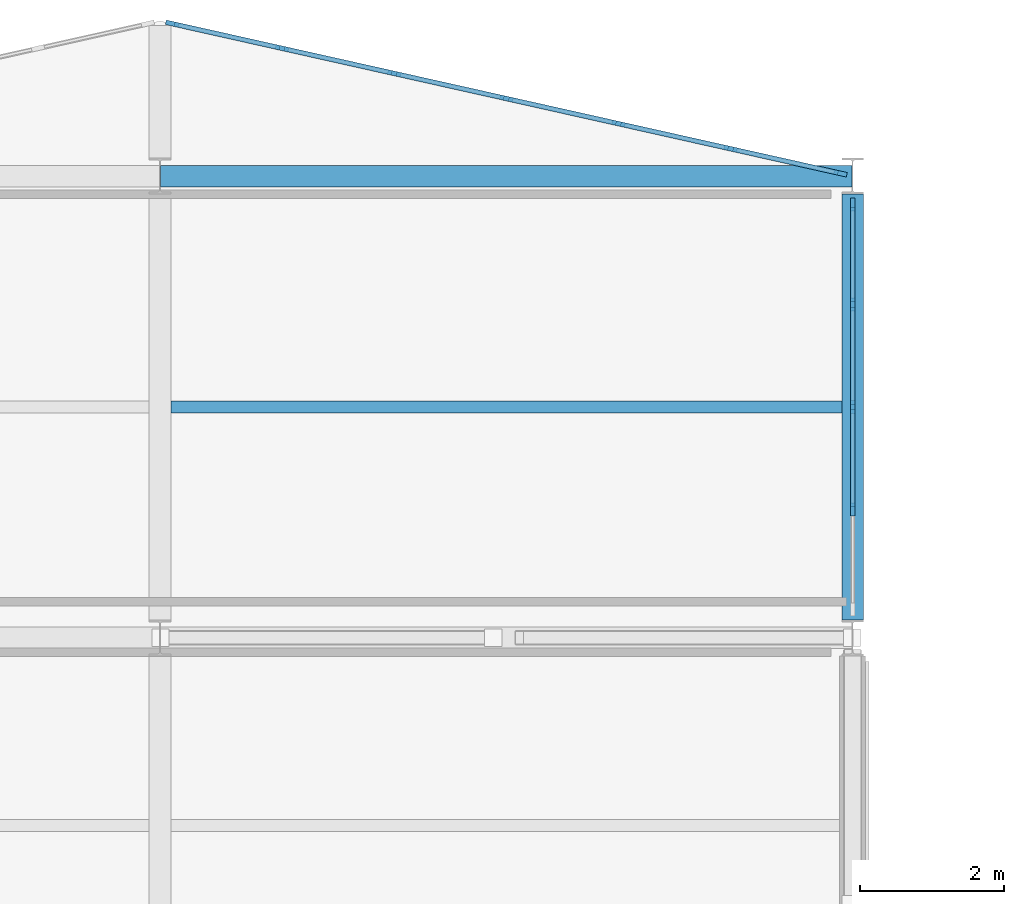
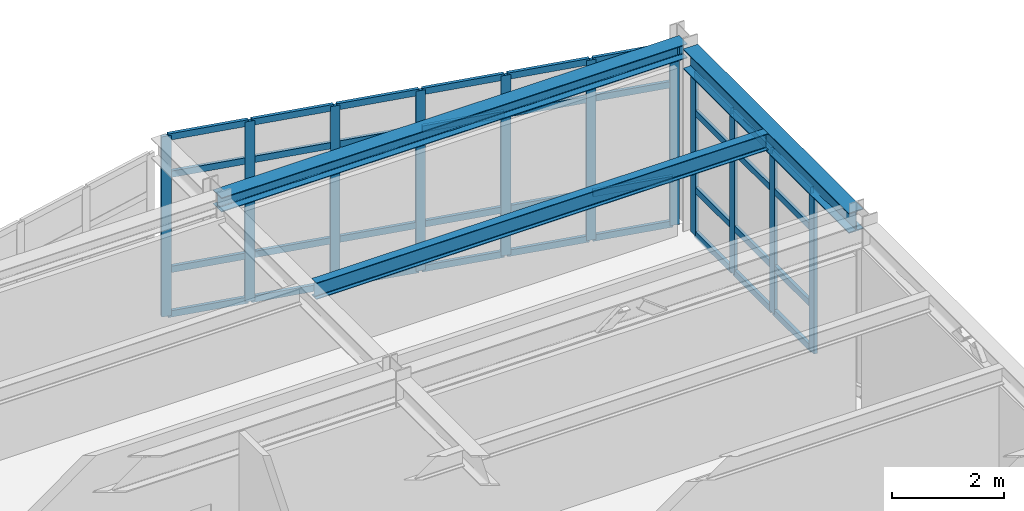
# One storey, part 42 of 76: 47 members, 3 beams, 2 elements without a shape of their own.
"""IFC4 building model written with IfcOpenShell, lengths in metres."""

from ifc_helpers import new_model, si_unit, direction, frame, origin, origin_2d, place, context, subcontext, project, spatial, rectangle, i_section, extrude, material, layer, layer_set, material_profile, profile_set, type_object, element, aggregate, save


model = new_model("IFC4")

# Units and contexts
model_context = context("Model", 3, precision=1e-05, world=origin(), true_north=direction((0.0, 1.0)))
body_context = subcontext(model_context, "Body", "Model", "MODEL_VIEW")
ifc_project = project(units=[si_unit("LENGTHUNIT", "METRE"), si_unit("AREAUNIT", "SQUARE_METRE"), si_unit("VOLUMEUNIT", "CUBIC_METRE"), si_unit("PLANEANGLEUNIT", "RADIAN"), si_unit("MASSUNIT", "GRAM", prefix="KILO")], contexts=[model_context])

# Site, building, storey
site_placement = place(None, origin())
site = spatial("IfcSite", under=ifc_project, at=site_placement, CompositionType="ELEMENT")
building_placement = place(site_placement, origin())
building = spatial("IfcBuilding", under=site, at=building_placement, Name="Nordkorset Police Headquarters", CompositionType="ELEMENT")
storey_placement = place(building_placement, frame((0.0, 0.0, 13.64990234375)))
storey = spatial("IfcBuildingStorey", under=building, at=storey_placement, Name="L03", CompositionType="ELEMENT", Elevation=13.64990234375)

# Beam
ifc_material_1 = material(Name="Steel S355J2", Category="steel")
ifc_material_profile_1 = material_profile(ifc_material_1, i_section(OverallWidth=0.169921875, OverallDepth=0.360107421875, WebThickness=0.008056640625, FlangeThickness=0.0126953125, FilletRadius=0.01806640625, at=origin_2d()), Name="IPE 360")
ifc_profile_set_1 = profile_set([ifc_material_profile_1], Name="Steel S355J2")
beam_type_1 = type_object("IfcBeamType", Name="Beam_IPE_360", PredefinedType="BEAM", material=ifc_profile_set_1)
beam_1_placement = place(storey_placement, frame((76.949951171875, 113.60009765625, 3.800048828125), z_axis=(1.0, 0.0, 0.0), x_axis=(0.0, 1.0, 0.0)))
element("IfcBeam", 1, at=beam_1_placement, inside=storey, type_object=beam_type_1, Name="Composite Floor Beam V2 L03 5-2-1", PredefinedType="BEAM", context=body_context, shape_type="SweptSolid", body=[
    extrude(i_section(OverallWidth=0.169921875, OverallDepth=0.360107421875, WebThickness=0.008056640625, FlangeThickness=0.0126953125, FilletRadius=0.01806640625, at=origin_2d()), origin(), (0.0, 0.0, 1.0), 9.300048828125),
])

# Curtain wall, members
ifc_material_2 = material(Name="Aluminium alloy AW-6060", Category="aluminium")
ifc_layer_1 = layer(ifc_material_2, 0.179931640625, Name="Aluminium alloy AW-6060")
ifc_layer_set_1 = layer_set([ifc_layer_1], Name="Aluminium alloy AW-6060")
curtain_wall_type_1 = type_object("IfcCurtainWallType", Name="CW_Unit_956x392", PredefinedType="USERDEFINED", material=ifc_layer_set_1)
curtain_wall_1_placement = place(storey_placement, origin())
curtain_wall_1 = element("IfcCurtainWall", 2, at=curtain_wall_1_placement, inside=storey, type_object=curtain_wall_type_1, Name="Unitised Curtain Wall L03 V2N-5", ObjectType="UNITISED CURTAIN WALL", PredefinedType="USERDEFINED")
ifc_material_3 = material(Name="Aluminium alloy AW-6060", Category="aluminium")
ifc_material_profile_2 = material_profile(ifc_material_3, rectangle(XDim=0.06494140625, YDim=0.179931640625, at=origin_2d()), Name="ALU MULL 65x180")
ifc_profile_set_2 = profile_set([ifc_material_profile_2], Name="Aluminium alloy AW-6060")
member_type_1 = type_object("IfcMemberType", Name="CW_Mullion_65x180", PredefinedType="MULLION", material=ifc_profile_set_2)
member_1_placement = place(storey_placement, frame((76.96826171875, 118.912353515625, 0.0), z_axis=(0.0, 0.0, 1.0), x_axis=(0.218544020358, 0.975827090814, 0.0)))
member_1 = element("IfcMember", 3, at=member_1_placement, type_object=member_type_1, Name="CW-41 mullion 1", PredefinedType="MULLION", context=body_context, shape_type="SweptSolid", body=[
    extrude(rectangle(XDim=0.06494140625, YDim=0.179931640625, at=origin_2d()), origin(), (0.0, 0.0, 1.0), 3.920166015625),
])
member_2_placement = place(storey_placement, frame((78.490966796875, 118.5712890625, 0.0), z_axis=(0.0, 0.0, 1.0), x_axis=(0.218544020358, 0.975827090814, 0.0)))
member_2 = element("IfcMember", 4, at=member_2_placement, type_object=member_type_1, Name="CW-41 mullion 2", PredefinedType="MULLION", context=body_context, shape_type="SweptSolid", body=[
    extrude(rectangle(XDim=0.06494140625, YDim=0.179931640625, at=origin_2d()), origin(), (0.0, 0.0, 1.0), 3.920166015625),
])
member_3_placement = place(storey_placement, frame((80.045654296875, 118.22314453125, 0.0), z_axis=(0.0, 0.0, 1.0), x_axis=(0.218544020358, 0.975827090814, 0.0)))
member_3 = element("IfcMember", 5, at=member_3_placement, type_object=member_type_1, Name="CW-41 mullion 3", PredefinedType="MULLION", context=body_context, shape_type="SweptSolid", body=[
    extrude(rectangle(XDim=0.06494140625, YDim=0.179931640625, at=origin_2d()), origin(), (0.0, 0.0, 1.0), 3.920166015625),
])
member_4_placement = place(storey_placement, frame((81.60009765625, 117.875, 0.0), z_axis=(0.0, 0.0, 1.0), x_axis=(0.218544020358, 0.975827090814, 0.0)))
member_4 = element("IfcMember", 6, at=member_4_placement, type_object=member_type_1, Name="CW-41 mullion 4", PredefinedType="MULLION", context=body_context, shape_type="SweptSolid", body=[
    extrude(rectangle(XDim=0.06494140625, YDim=0.179931640625, at=origin_2d()), origin(), (0.0, 0.0, 1.0), 3.920166015625),
])
member_5_placement = place(storey_placement, frame((83.154541015625, 117.52685546875, 0.0), z_axis=(0.0, 0.0, 1.0), x_axis=(0.218544020358, 0.975827090814, 0.0)))
member_5 = element("IfcMember", 7, at=member_5_placement, type_object=member_type_1, Name="CW-41 mullion 5", PredefinedType="MULLION", context=body_context, shape_type="SweptSolid", body=[
    extrude(rectangle(XDim=0.06494140625, YDim=0.179931640625, at=origin_2d()), origin(), (0.0, 0.0, 1.0), 3.920166015625),
])
member_6_placement = place(storey_placement, frame((84.708984375, 117.1787109375, 0.0), z_axis=(0.0, 0.0, 1.0), x_axis=(0.218544020358, 0.975827090814, 0.0)))
member_6 = element("IfcMember", 8, at=member_6_placement, type_object=member_type_1, Name="CW-41 mullion 6", PredefinedType="MULLION", context=body_context, shape_type="SweptSolid", body=[
    extrude(rectangle(XDim=0.06494140625, YDim=0.179931640625, at=origin_2d()), origin(), (0.0, 0.0, 1.0), 3.920166015625),
])
member_7_placement = place(storey_placement, frame((86.231689453125, 116.837646484375, 0.0), z_axis=(0.0, 0.0, 1.0), x_axis=(0.218544020358, 0.975827090814, 0.0)))
member_7 = element("IfcMember", 9, at=member_7_placement, type_object=member_type_1, Name="CW-41 mullion 7", PredefinedType="MULLION", context=body_context, shape_type="SweptSolid", body=[
    extrude(rectangle(XDim=0.06494140625, YDim=0.179931640625, at=origin_2d()), origin(), (0.0, 0.0, 1.0), 3.920166015625),
])

ifc_material_4 = material(Name="Aluminium alloy AW-6060", Category="aluminium")
ifc_layer_2 = layer(ifc_material_4, 0.179931640625, Name="Aluminium alloy AW-6060")
ifc_layer_set_2 = layer_set([ifc_layer_2], Name="Aluminium alloy AW-6060")
curtain_wall_type_2 = type_object("IfcCurtainWallType", Name="CW_Unit_568x352", PredefinedType="USERDEFINED", material=ifc_layer_set_2)
curtain_wall_2_placement = place(storey_placement, origin())
curtain_wall_2 = element("IfcCurtainWall", 10, at=curtain_wall_2_placement, inside=storey, type_object=curtain_wall_type_2, Name="Unitised Curtain Wall L03 V2E-1", ObjectType="UNITISED CURTAIN WALL", PredefinedType="USERDEFINED")
member_8_placement = place(storey_placement, frame((86.39990234375, 112.179931640625, 0.0), z_axis=(0.0, 0.0, 1.0), x_axis=(-1.0, 0.0, 0.0)))
member_8 = element("IfcMember", 11, at=member_8_placement, type_object=member_type_1, Name="CW-05 mullion 2", PredefinedType="MULLION", context=body_context, shape_type="SweptSolid", body=[
    extrude(rectangle(XDim=0.06494140625, YDim=0.179931640625, at=origin_2d()), origin(), (0.0, 0.0, 1.0), 3.52001953125),
])
member_9_placement = place(storey_placement, frame((86.39990234375, 113.60009765625, 0.0), z_axis=(0.0, 0.0, 1.0), x_axis=(-1.0, 0.0, 0.0)))
member_9 = element("IfcMember", 12, at=member_9_placement, type_object=member_type_1, Name="CW-05 mullion 3", PredefinedType="MULLION", context=body_context, shape_type="SweptSolid", body=[
    extrude(rectangle(XDim=0.06494140625, YDim=0.179931640625, at=origin_2d()), origin(), (0.0, 0.0, 1.0), 3.52001953125),
])
member_10_placement = place(storey_placement, frame((86.39990234375, 115.02001953125, 0.0), z_axis=(0.0, 0.0, 1.0), x_axis=(-1.0, 0.0, 0.0)))
member_10 = element("IfcMember", 13, at=member_10_placement, type_object=member_type_1, Name="CW-05 mullion 4", PredefinedType="MULLION", context=body_context, shape_type="SweptSolid", body=[
    extrude(rectangle(XDim=0.06494140625, YDim=0.179931640625, at=origin_2d()), origin(), (0.0, 0.0, 1.0), 3.52001953125),
])
member_11_placement = place(storey_placement, frame((86.39990234375, 116.407470703125, 0.0), z_axis=(0.0, 0.0, 1.0), x_axis=(-1.0, 0.0, 0.0)))
member_11 = element("IfcMember", 14, at=member_11_placement, type_object=member_type_1, Name="CW-05 mullion 5", PredefinedType="MULLION", context=body_context, shape_type="SweptSolid", body=[
    extrude(rectangle(XDim=0.06494140625, YDim=0.179931640625, at=origin_2d()), origin(), (0.0, 0.0, 1.0), 3.52001953125),
])

# Member
ifc_material_5 = material(Name="Aluminium alloy AW-6060", Category="aluminium")
ifc_material_profile_3 = material_profile(ifc_material_5, rectangle(XDim=0.06494140625, YDim=0.139892578125, at=origin_2d()), Name="ALU TRAN 65x140")
ifc_profile_set_3 = profile_set([ifc_material_profile_3], Name="Aluminium alloy AW-6060")
member_type_2 = type_object("IfcMemberType", Name="CW_Transom_65x140", PredefinedType="USERDEFINED", material=ifc_profile_set_3)
member_12_placement = place(storey_placement, frame((77.0, 118.9052734375, 0.03271484375), z_axis=(0.975820800319, -0.218572106328, 0.0), x_axis=(0.218572106328, 0.975820800319, 0.0)))
member_12 = element("IfcMember", 15, at=member_12_placement, type_object=member_type_2, Name="CW-41 transom 1.1", ObjectType="TRANSOM", PredefinedType="USERDEFINED", context=body_context, shape_type="SweptSolid", body=[
    extrude(rectangle(XDim=0.06494140625, YDim=0.139892578125, at=origin_2d()), origin(), (0.0, 0.0, 1.0), 1.49560546875),
])

member_13_placement = place(storey_placement, frame((77.0, 118.9052734375, 1.0), z_axis=(0.975820800319, -0.218572106328, 0.0), x_axis=(0.218572106328, 0.975820800319, 0.0)))
member_13 = element("IfcMember", 16, at=member_13_placement, type_object=member_type_2, Name="CW-41 transom 1.2", ObjectType="TRANSOM", PredefinedType="USERDEFINED", context=body_context, shape_type="SweptSolid", body=[
    extrude(rectangle(XDim=0.06494140625, YDim=0.139892578125, at=origin_2d()), origin(), (0.0, 0.0, 1.0), 1.49560546875),
])

member_14_placement = place(storey_placement, frame((77.0, 118.9052734375, 3.070068359375), z_axis=(0.975820800319, -0.218572106328, 0.0), x_axis=(0.218572106328, 0.975820800319, 0.0)))
member_14 = element("IfcMember", 17, at=member_14_placement, type_object=member_type_2, Name="CW-41 transom 1.3", ObjectType="TRANSOM", PredefinedType="USERDEFINED", context=body_context, shape_type="SweptSolid", body=[
    extrude(rectangle(XDim=0.06494140625, YDim=0.139892578125, at=origin_2d()), origin(), (0.0, 0.0, 1.0), 1.49560546875),
])

member_15_placement = place(storey_placement, frame((77.0, 118.9052734375, 3.8876953125), z_axis=(0.975820800319, -0.218572106328, 0.0), x_axis=(0.218572106328, 0.975820800319, 0.0)))
member_15 = element("IfcMember", 18, at=member_15_placement, type_object=member_type_2, Name="CW-41 transom 1.4", ObjectType="TRANSOM", PredefinedType="USERDEFINED", context=body_context, shape_type="SweptSolid", body=[
    extrude(rectangle(XDim=0.06494140625, YDim=0.139892578125, at=origin_2d()), origin(), (0.0, 0.0, 1.0), 1.49560546875),
])

member_16_placement = place(storey_placement, frame((78.522705078125, 118.564208984375, 0.03271484375), z_axis=(0.975824835817, -0.218554088965, 0.0), x_axis=(0.218554088965, 0.975824835817, 0.0)))
member_16 = element("IfcMember", 19, at=member_16_placement, type_object=member_type_2, Name="CW-41 transom 2.1", ObjectType="TRANSOM", PredefinedType="USERDEFINED", context=body_context, shape_type="SweptSolid", body=[
    extrude(rectangle(XDim=0.06494140625, YDim=0.139892578125, at=origin_2d()), origin(), (0.0, 0.0, 1.0), 1.528076171875),
])

member_17_placement = place(storey_placement, frame((78.522705078125, 118.564208984375, 1.0), z_axis=(0.975824835817, -0.218554088965, 0.0), x_axis=(0.218554088965, 0.975824835817, 0.0)))
member_17 = element("IfcMember", 20, at=member_17_placement, type_object=member_type_2, Name="CW-41 transom 2.2", ObjectType="TRANSOM", PredefinedType="USERDEFINED", context=body_context, shape_type="SweptSolid", body=[
    extrude(rectangle(XDim=0.06494140625, YDim=0.139892578125, at=origin_2d()), origin(), (0.0, 0.0, 1.0), 1.528076171875),
])

member_18_placement = place(storey_placement, frame((78.522705078125, 118.564208984375, 3.070068359375), z_axis=(0.975824835817, -0.218554088965, 0.0), x_axis=(0.218554088965, 0.975824835817, 0.0)))
member_18 = element("IfcMember", 21, at=member_18_placement, type_object=member_type_2, Name="CW-41 transom 2.3", ObjectType="TRANSOM", PredefinedType="USERDEFINED", context=body_context, shape_type="SweptSolid", body=[
    extrude(rectangle(XDim=0.06494140625, YDim=0.139892578125, at=origin_2d()), origin(), (0.0, 0.0, 1.0), 1.528076171875),
])

member_19_placement = place(storey_placement, frame((78.522705078125, 118.564208984375, 3.8876953125), z_axis=(0.975824835817, -0.218554088965, 0.0), x_axis=(0.218554088965, 0.975824835817, 0.0)))
member_19 = element("IfcMember", 22, at=member_19_placement, type_object=member_type_2, Name="CW-41 transom 2.4", ObjectType="TRANSOM", PredefinedType="USERDEFINED", context=body_context, shape_type="SweptSolid", body=[
    extrude(rectangle(XDim=0.06494140625, YDim=0.139892578125, at=origin_2d()), origin(), (0.0, 0.0, 1.0), 1.528076171875),
])

member_20_placement = place(storey_placement, frame((80.0771484375, 118.216064453125, 0.03271484375), z_axis=(0.975824835817, -0.218554088965, 0.0), x_axis=(0.218554088965, 0.975824835817, 0.0)))
member_20 = element("IfcMember", 23, at=member_20_placement, type_object=member_type_2, Name="CW-41 transom 3.1", ObjectType="TRANSOM", PredefinedType="USERDEFINED", context=body_context, shape_type="SweptSolid", body=[
    extrude(rectangle(XDim=0.06494140625, YDim=0.139892578125, at=origin_2d()), origin(), (0.0, 0.0, 1.0), 1.528076171875),
])

member_21_placement = place(storey_placement, frame((80.0771484375, 118.216064453125, 1.0), z_axis=(0.975824835817, -0.218554088965, 0.0), x_axis=(0.218554088965, 0.975824835817, 0.0)))
member_21 = element("IfcMember", 24, at=member_21_placement, type_object=member_type_2, Name="CW-41 transom 3.2", ObjectType="TRANSOM", PredefinedType="USERDEFINED", context=body_context, shape_type="SweptSolid", body=[
    extrude(rectangle(XDim=0.06494140625, YDim=0.139892578125, at=origin_2d()), origin(), (0.0, 0.0, 1.0), 1.528076171875),
])

member_22_placement = place(storey_placement, frame((80.0771484375, 118.216064453125, 3.070068359375), z_axis=(0.975824835817, -0.218554088965, 0.0), x_axis=(0.218554088965, 0.975824835817, 0.0)))
member_22 = element("IfcMember", 25, at=member_22_placement, type_object=member_type_2, Name="CW-41 transom 3.3", ObjectType="TRANSOM", PredefinedType="USERDEFINED", context=body_context, shape_type="SweptSolid", body=[
    extrude(rectangle(XDim=0.06494140625, YDim=0.139892578125, at=origin_2d()), origin(), (0.0, 0.0, 1.0), 1.528076171875),
])

member_23_placement = place(storey_placement, frame((80.0771484375, 118.216064453125, 3.8876953125), z_axis=(0.975824835817, -0.218554088965, 0.0), x_axis=(0.218554088965, 0.975824835817, 0.0)))
member_23 = element("IfcMember", 26, at=member_23_placement, type_object=member_type_2, Name="CW-41 transom 3.4", ObjectType="TRANSOM", PredefinedType="USERDEFINED", context=body_context, shape_type="SweptSolid", body=[
    extrude(rectangle(XDim=0.06494140625, YDim=0.139892578125, at=origin_2d()), origin(), (0.0, 0.0, 1.0), 1.528076171875),
])

member_24_placement = place(storey_placement, frame((81.6318359375, 117.867919921875, 0.03271484375), z_axis=(0.975817202869, -0.218588166616, 0.0), x_axis=(0.218588166616, 0.975817202869, 0.0)))
member_24 = element("IfcMember", 27, at=member_24_placement, type_object=member_type_2, Name="CW-41 transom 4.1", ObjectType="TRANSOM", PredefinedType="USERDEFINED", context=body_context, shape_type="SweptSolid", body=[
    extrude(rectangle(XDim=0.06494140625, YDim=0.139892578125, at=origin_2d()), origin(), (0.0, 0.0, 1.0), 1.52783203125),
])

member_25_placement = place(storey_placement, frame((81.6318359375, 117.867919921875, 1.0), z_axis=(0.975817202869, -0.218588166616, 0.0), x_axis=(0.218588166616, 0.975817202869, 0.0)))
member_25 = element("IfcMember", 28, at=member_25_placement, type_object=member_type_2, Name="CW-41 transom 4.2", ObjectType="TRANSOM", PredefinedType="USERDEFINED", context=body_context, shape_type="SweptSolid", body=[
    extrude(rectangle(XDim=0.06494140625, YDim=0.139892578125, at=origin_2d()), origin(), (0.0, 0.0, 1.0), 1.52783203125),
])

member_26_placement = place(storey_placement, frame((81.6318359375, 117.867919921875, 3.070068359375), z_axis=(0.975817202869, -0.218588166616, 0.0), x_axis=(0.218588166616, 0.975817202869, 0.0)))
member_26 = element("IfcMember", 29, at=member_26_placement, type_object=member_type_2, Name="CW-41 transom 4.3", ObjectType="TRANSOM", PredefinedType="USERDEFINED", context=body_context, shape_type="SweptSolid", body=[
    extrude(rectangle(XDim=0.06494140625, YDim=0.139892578125, at=origin_2d()), origin(), (0.0, 0.0, 1.0), 1.52783203125),
])

member_27_placement = place(storey_placement, frame((81.6318359375, 117.867919921875, 3.8876953125), z_axis=(0.975817202869, -0.218588166616, 0.0), x_axis=(0.218588166616, 0.975817202869, 0.0)))
member_27 = element("IfcMember", 30, at=member_27_placement, type_object=member_type_2, Name="CW-41 transom 4.4", ObjectType="TRANSOM", PredefinedType="USERDEFINED", context=body_context, shape_type="SweptSolid", body=[
    extrude(rectangle(XDim=0.06494140625, YDim=0.139892578125, at=origin_2d()), origin(), (0.0, 0.0, 1.0), 1.52783203125),
])

member_28_placement = place(storey_placement, frame((83.186279296875, 117.519775390625, 0.03271484375), z_axis=(0.975817202869, -0.218588166616, 0.0), x_axis=(0.218588166616, 0.975817202869, 0.0)))
member_28 = element("IfcMember", 31, at=member_28_placement, type_object=member_type_2, Name="CW-41 transom 5.1", ObjectType="TRANSOM", PredefinedType="USERDEFINED", context=body_context, shape_type="SweptSolid", body=[
    extrude(rectangle(XDim=0.06494140625, YDim=0.139892578125, at=origin_2d()), origin(), (0.0, 0.0, 1.0), 1.52783203125),
])

member_29_placement = place(storey_placement, frame((83.186279296875, 117.519775390625, 1.0), z_axis=(0.975817202869, -0.218588166616, 0.0), x_axis=(0.218588166616, 0.975817202869, 0.0)))
member_29 = element("IfcMember", 32, at=member_29_placement, type_object=member_type_2, Name="CW-41 transom 5.2", ObjectType="TRANSOM", PredefinedType="USERDEFINED", context=body_context, shape_type="SweptSolid", body=[
    extrude(rectangle(XDim=0.06494140625, YDim=0.139892578125, at=origin_2d()), origin(), (0.0, 0.0, 1.0), 1.52783203125),
])

member_30_placement = place(storey_placement, frame((83.186279296875, 117.519775390625, 3.070068359375), z_axis=(0.975817202869, -0.218588166616, 0.0), x_axis=(0.218588166616, 0.975817202869, 0.0)))
member_30 = element("IfcMember", 33, at=member_30_placement, type_object=member_type_2, Name="CW-41 transom 5.3", ObjectType="TRANSOM", PredefinedType="USERDEFINED", context=body_context, shape_type="SweptSolid", body=[
    extrude(rectangle(XDim=0.06494140625, YDim=0.139892578125, at=origin_2d()), origin(), (0.0, 0.0, 1.0), 1.52783203125),
])

member_31_placement = place(storey_placement, frame((83.186279296875, 117.519775390625, 3.8876953125), z_axis=(0.975817202869, -0.218588166616, 0.0), x_axis=(0.218588166616, 0.975817202869, 0.0)))
member_31 = element("IfcMember", 34, at=member_31_placement, type_object=member_type_2, Name="CW-41 transom 5.4", ObjectType="TRANSOM", PredefinedType="USERDEFINED", context=body_context, shape_type="SweptSolid", body=[
    extrude(rectangle(XDim=0.06494140625, YDim=0.139892578125, at=origin_2d()), origin(), (0.0, 0.0, 1.0), 1.52783203125),
])

member_32_placement = place(storey_placement, frame((84.74072265625, 117.171630859375, 0.03271484375), z_axis=(0.975813000089, -0.218606927743, 0.0), x_axis=(0.218606927743, 0.975813000089, 0.0)))
member_32 = element("IfcMember", 35, at=member_32_placement, type_object=member_type_2, Name="CW-41 transom 6.1", ObjectType="TRANSOM", PredefinedType="USERDEFINED", context=body_context, shape_type="SweptSolid", body=[
    extrude(rectangle(XDim=0.06494140625, YDim=0.139892578125, at=origin_2d()), origin(), (0.0, 0.0, 1.0), 1.495361328125),
])

member_33_placement = place(storey_placement, frame((84.74072265625, 117.171630859375, 1.0), z_axis=(0.975813000089, -0.218606927743, 0.0), x_axis=(0.218606927743, 0.975813000089, 0.0)))
member_33 = element("IfcMember", 36, at=member_33_placement, type_object=member_type_2, Name="CW-41 transom 6.2", ObjectType="TRANSOM", PredefinedType="USERDEFINED", context=body_context, shape_type="SweptSolid", body=[
    extrude(rectangle(XDim=0.06494140625, YDim=0.139892578125, at=origin_2d()), origin(), (0.0, 0.0, 1.0), 1.495361328125),
])

member_34_placement = place(storey_placement, frame((84.74072265625, 117.171630859375, 3.070068359375), z_axis=(0.975813000089, -0.218606927743, 0.0), x_axis=(0.218606927743, 0.975813000089, 0.0)))
member_34 = element("IfcMember", 37, at=member_34_placement, type_object=member_type_2, Name="CW-41 transom 6.3", ObjectType="TRANSOM", PredefinedType="USERDEFINED", context=body_context, shape_type="SweptSolid", body=[
    extrude(rectangle(XDim=0.06494140625, YDim=0.139892578125, at=origin_2d()), origin(), (0.0, 0.0, 1.0), 1.495361328125),
])

member_35_placement = place(storey_placement, frame((84.74072265625, 117.171630859375, 3.8876953125), z_axis=(0.975813000089, -0.218606927743, 0.0), x_axis=(0.218606927743, 0.975813000089, 0.0)))
member_35 = element("IfcMember", 38, at=member_35_placement, type_object=member_type_2, Name="CW-41 transom 6.4", ObjectType="TRANSOM", PredefinedType="USERDEFINED", context=body_context, shape_type="SweptSolid", body=[
    extrude(rectangle(XDim=0.06494140625, YDim=0.139892578125, at=origin_2d()), origin(), (0.0, 0.0, 1.0), 1.495361328125),
])

aggregate(curtain_wall_1, [member_1, member_2, member_3, member_4, member_5, member_6, member_7, member_12, member_13, member_14, member_15, member_16, member_17, member_18, member_19, member_20, member_21, member_22, member_23, member_24, member_25, member_26, member_27, member_28, member_29, member_30, member_31, member_32, member_33, member_34, member_35])

member_36_placement = place(storey_placement, frame((86.39990234375, 112.21240234375, 0.03271484375), z_axis=(0.0, 1.0, 0.0), x_axis=(-1.0, 0.0, 0.0)))
member_36 = element("IfcMember", 39, at=member_36_placement, type_object=member_type_2, Name="CW-05 transom 2.1", ObjectType="TRANSOM", PredefinedType="USERDEFINED", context=body_context, shape_type="SweptSolid", body=[
    extrude(rectangle(XDim=0.06494140625, YDim=0.139892578125, at=origin_2d()), origin(), (0.0, 0.0, 1.0), 1.35498046875),
])

member_37_placement = place(storey_placement, frame((86.39990234375, 112.21240234375, 1.0), z_axis=(0.0, 1.0, 0.0), x_axis=(-1.0, 0.0, 0.0)))
member_37 = element("IfcMember", 40, at=member_37_placement, type_object=member_type_2, Name="CW-05 transom 2.2", ObjectType="TRANSOM", PredefinedType="USERDEFINED", context=body_context, shape_type="SweptSolid", body=[
    extrude(rectangle(XDim=0.06494140625, YDim=0.139892578125, at=origin_2d()), origin(), (0.0, 0.0, 1.0), 1.35498046875),
])

member_38_placement = place(storey_placement, frame((86.39990234375, 112.21240234375, 2.670166015625), z_axis=(0.0, 1.0, 0.0), x_axis=(-1.0, 0.0, 0.0)))
member_38 = element("IfcMember", 41, at=member_38_placement, type_object=member_type_2, Name="CW-05 transom 2.3", ObjectType="TRANSOM", PredefinedType="USERDEFINED", context=body_context, shape_type="SweptSolid", body=[
    extrude(rectangle(XDim=0.06494140625, YDim=0.139892578125, at=origin_2d()), origin(), (0.0, 0.0, 1.0), 1.35498046875),
])

member_39_placement = place(storey_placement, frame((86.39990234375, 112.21240234375, 3.487548828125), z_axis=(0.0, 1.0, 0.0), x_axis=(-1.0, 0.0, 0.0)))
member_39 = element("IfcMember", 42, at=member_39_placement, type_object=member_type_2, Name="CW-05 transom 2.4", ObjectType="TRANSOM", PredefinedType="USERDEFINED", context=body_context, shape_type="SweptSolid", body=[
    extrude(rectangle(XDim=0.06494140625, YDim=0.139892578125, at=origin_2d()), origin(), (0.0, 0.0, 1.0), 1.35498046875),
])

member_40_placement = place(storey_placement, frame((86.39990234375, 113.632568359375, 0.03271484375), z_axis=(0.0, 1.0, 0.0), x_axis=(-1.0, 0.0, 0.0)))
member_40 = element("IfcMember", 43, at=member_40_placement, type_object=member_type_2, Name="CW-05 transom 3.1", ObjectType="TRANSOM", PredefinedType="USERDEFINED", context=body_context, shape_type="SweptSolid", body=[
    extrude(rectangle(XDim=0.06494140625, YDim=0.139892578125, at=origin_2d()), origin(), (0.0, 0.0, 1.0), 1.35498046875),
])

member_41_placement = place(storey_placement, frame((86.39990234375, 113.632568359375, 1.0), z_axis=(0.0, 1.0, 0.0), x_axis=(-1.0, 0.0, 0.0)))
member_41 = element("IfcMember", 44, at=member_41_placement, type_object=member_type_2, Name="CW-05 transom 3.2", ObjectType="TRANSOM", PredefinedType="USERDEFINED", context=body_context, shape_type="SweptSolid", body=[
    extrude(rectangle(XDim=0.06494140625, YDim=0.139892578125, at=origin_2d()), origin(), (0.0, 0.0, 1.0), 1.35498046875),
])

member_42_placement = place(storey_placement, frame((86.39990234375, 113.632568359375, 2.670166015625), z_axis=(0.0, 1.0, 0.0), x_axis=(-1.0, 0.0, 0.0)))
member_42 = element("IfcMember", 45, at=member_42_placement, type_object=member_type_2, Name="CW-05 transom 3.3", ObjectType="TRANSOM", PredefinedType="USERDEFINED", context=body_context, shape_type="SweptSolid", body=[
    extrude(rectangle(XDim=0.06494140625, YDim=0.139892578125, at=origin_2d()), origin(), (0.0, 0.0, 1.0), 1.35498046875),
])

member_43_placement = place(storey_placement, frame((86.39990234375, 113.632568359375, 3.487548828125), z_axis=(0.0, 1.0, 0.0), x_axis=(-1.0, 0.0, 0.0)))
member_43 = element("IfcMember", 46, at=member_43_placement, type_object=member_type_2, Name="CW-05 transom 3.4", ObjectType="TRANSOM", PredefinedType="USERDEFINED", context=body_context, shape_type="SweptSolid", body=[
    extrude(rectangle(XDim=0.06494140625, YDim=0.139892578125, at=origin_2d()), origin(), (0.0, 0.0, 1.0), 1.35498046875),
])

member_44_placement = place(storey_placement, frame((86.39990234375, 115.052490234375, 0.03271484375), z_axis=(0.0, 1.0, 0.0), x_axis=(-1.0, 0.0, 0.0)))
member_44 = element("IfcMember", 47, at=member_44_placement, type_object=member_type_2, Name="CW-05 transom 4.1", ObjectType="TRANSOM", PredefinedType="USERDEFINED", context=body_context, shape_type="SweptSolid", body=[
    extrude(rectangle(XDim=0.06494140625, YDim=0.139892578125, at=origin_2d()), origin(), (0.0, 0.0, 1.0), 1.322509765625),
])

member_45_placement = place(storey_placement, frame((86.39990234375, 115.052490234375, 1.0), z_axis=(0.0, 1.0, 0.0), x_axis=(-1.0, 0.0, 0.0)))
member_45 = element("IfcMember", 48, at=member_45_placement, type_object=member_type_2, Name="CW-05 transom 4.2", ObjectType="TRANSOM", PredefinedType="USERDEFINED", context=body_context, shape_type="SweptSolid", body=[
    extrude(rectangle(XDim=0.06494140625, YDim=0.139892578125, at=origin_2d()), origin(), (0.0, 0.0, 1.0), 1.322509765625),
])

member_46_placement = place(storey_placement, frame((86.39990234375, 115.052490234375, 2.670166015625), z_axis=(0.0, 1.0, 0.0), x_axis=(-1.0, 0.0, 0.0)))
member_46 = element("IfcMember", 49, at=member_46_placement, type_object=member_type_2, Name="CW-05 transom 4.3", ObjectType="TRANSOM", PredefinedType="USERDEFINED", context=body_context, shape_type="SweptSolid", body=[
    extrude(rectangle(XDim=0.06494140625, YDim=0.139892578125, at=origin_2d()), origin(), (0.0, 0.0, 1.0), 1.322509765625),
])

member_47_placement = place(storey_placement, frame((86.39990234375, 115.052490234375, 3.487548828125), z_axis=(0.0, 1.0, 0.0), x_axis=(-1.0, 0.0, 0.0)))
member_47 = element("IfcMember", 50, at=member_47_placement, type_object=member_type_2, Name="CW-05 transom 4.4", ObjectType="TRANSOM", PredefinedType="USERDEFINED", context=body_context, shape_type="SweptSolid", body=[
    extrude(rectangle(XDim=0.06494140625, YDim=0.139892578125, at=origin_2d()), origin(), (0.0, 0.0, 1.0), 1.322509765625),
])

aggregate(curtain_wall_2, [member_8, member_9, member_10, member_11, member_36, member_37, member_38, member_39, member_40, member_41, member_42, member_43, member_44, member_45, member_46, member_47])

# Beams
ifc_material_6 = material(Name="Steel S355J2", Category="steel")
ifc_material_profile_4 = material_profile(ifc_material_6, i_section(OverallWidth=0.300048828125, OverallDepth=0.43994140625, WebThickness=0.011474609375, FlangeThickness=0.02099609375, FilletRadius=0.027099609375, at=origin_2d()), Name="HEA 450")
ifc_profile_set_4 = profile_set([ifc_material_profile_4], Name="Steel S355J2")
beam_type_2 = type_object("IfcBeamType", Name="Girder_HEA_450", PredefinedType="USERDEFINED", material=ifc_profile_set_4)
beam_2_placement = place(storey_placement, frame((86.39990234375, 110.64990234375, 3.760009765625), z_axis=(0.0, 1.0, 0.0), x_axis=(-1.0, 0.0, 0.0)))
element("IfcBeam", 51, at=beam_2_placement, inside=storey, type_object=beam_type_2, Name="Girder V2 L03 GY-6-2", ObjectType="GIRDER", PredefinedType="USERDEFINED", context=body_context, shape_type="SweptSolid", body=[
    extrude(i_section(OverallWidth=0.300048828125, OverallDepth=0.43994140625, WebThickness=0.011474609375, FlangeThickness=0.02099609375, FilletRadius=0.027099609375, at=origin_2d()), origin(), (0.0, 0.0, 1.0), 5.900146484375),
])
ifc_material_7 = material(Name="Steel S355J2", Category="steel")
ifc_material_profile_5 = material_profile(ifc_material_7, i_section(OverallWidth=0.300048828125, OverallDepth=0.31005859375, WebThickness=0.009033203125, FlangeThickness=0.015380859375, FilletRadius=0.027099609375, at=origin_2d()), Name="HEA 320")
ifc_profile_set_5 = profile_set([ifc_material_profile_5], Name="Steel S355J2")
beam_type_3 = type_object("IfcBeamType", Name="Spandrel_HEA_320", PredefinedType="SPANDREL", material=ifc_profile_set_5)
beam_3_placement = place(storey_placement, frame((76.807373046875, 116.800048828125, 3.8251953125), z_axis=(1.0, 0.0, 0.0), x_axis=(0.0, 1.0, 0.0)))
element("IfcBeam", 52, at=beam_3_placement, inside=storey, type_object=beam_type_3, Name="Girder V2 L03 GX-3-5", PredefinedType="SPANDREL", context=body_context, shape_type="SweptSolid", body=[
    extrude(i_section(OverallWidth=0.300048828125, OverallDepth=0.31005859375, WebThickness=0.009033203125, FlangeThickness=0.015380859375, FilletRadius=0.027099609375, at=origin_2d()), origin(), (0.0, 0.0, 1.0), 9.585205078125),
])

save(model, "model.ifc")
